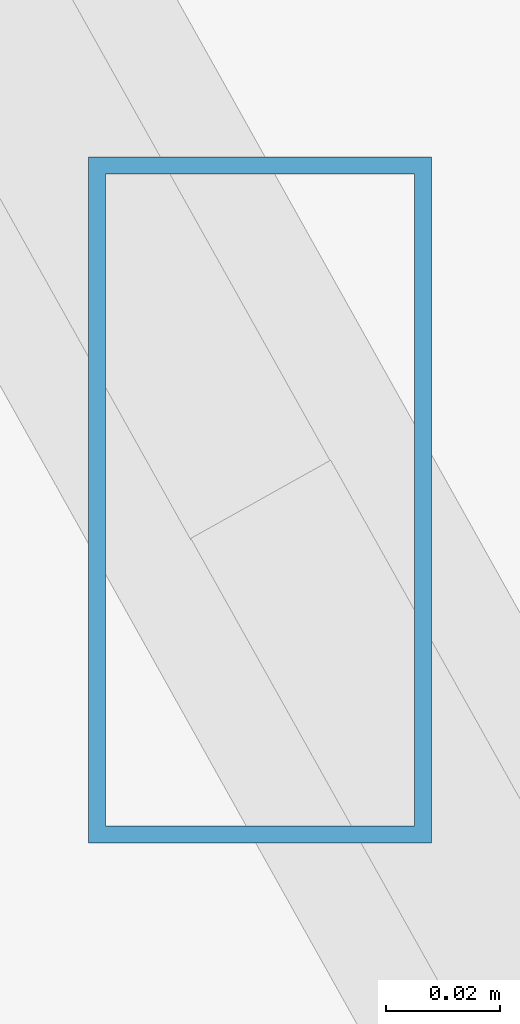
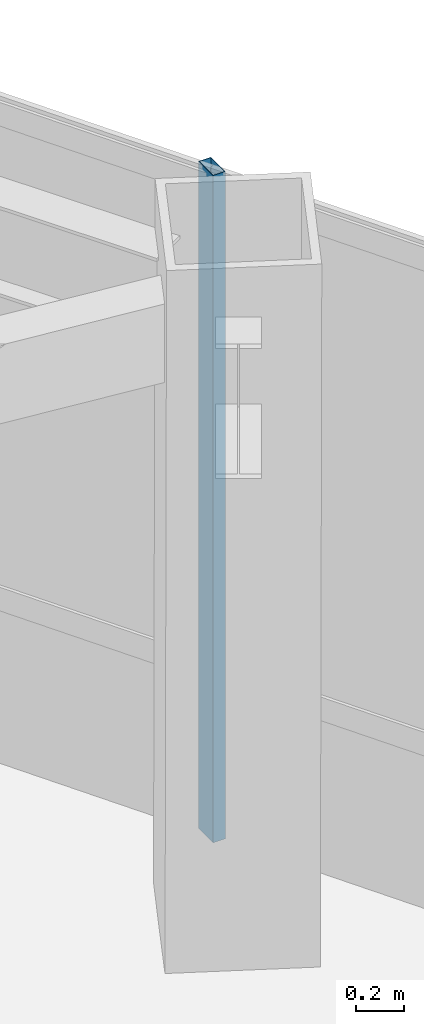
# One storey, part 23 of 44: 1 member, 1 element without a shape of its own.
"""IFC4 building model written with IfcOpenShell, lengths in metres."""

from ifc_helpers import new_model, si_unit, direction, frame, origin, origin_2d, place, context, subcontext, project, spatial, hollow_rectangle, extrude, source, transform, mapped, material, material_profile, profile_set, type_object, type_shapes, element, aggregate, save


model = new_model("IFC4")

# Units and contexts
model_context = context("Model", 3, precision=1e-05, world=origin(), true_north=direction((0.0, 1.0)))
body_context = subcontext(model_context, "Body", "Model", "MODEL_VIEW")
ifc_project = project(units=[si_unit("LENGTHUNIT", "METRE"), si_unit("AREAUNIT", "SQUARE_METRE"), si_unit("VOLUMEUNIT", "CUBIC_METRE"), si_unit("PLANEANGLEUNIT", "RADIAN"), si_unit("MASSUNIT", "GRAM", prefix="KILO")], contexts=[model_context])

# Site, building, storey
site_placement = place(None, origin())
site = spatial("IfcSite", under=ifc_project, at=site_placement, CompositionType="ELEMENT")
building_placement = place(site_placement, origin())
building = spatial("IfcBuilding", under=site, at=building_placement, Name="Caelisora Broadcast Tower", CompositionType="ELEMENT")
storey_placement = place(building_placement, frame((0.0, 0.0, 259.050048828125)))
storey = spatial("IfcBuildingStorey", under=building, at=storey_placement, Name="L68", CompositionType="ELEMENT", Elevation=259.050048828125)

# Curtain wall, member
ifc_material_1 = material(Name="Unitised Aluminium and Low-E Glass Curtain Wall", Category="glass")
curtain_wall_type = type_object("IfcCurtainWallType", Name="CW-Z5", PredefinedType="NOTDEFINED", material=ifc_material_1)
curtain_wall_placement = place(storey_placement, origin())
curtain_wall = element("IfcCurtainWall", 1, at=curtain_wall_placement, inside=storey, type_object=curtain_wall_type, Name="L68 curtain wall CW-Z5", PredefinedType="NOTDEFINED")
ifc_material_2 = material(Name="Aluminium 6063-T6 Anodised Terracotta Bronze", Category="aluminium")
ifc_material_profile = material_profile(ifc_material_2, hollow_rectangle(XDim=0.06005859375, YDim=0.1201171875, WallThickness=0.0029296875, at=origin_2d()), Name="Aluminium 6063-T6 Anodised Terracotta Bronze")
ifc_profile_set = profile_set([ifc_material_profile], Name="Aluminium 6063-T6 Anodised Terracotta Bronze")
member_type = type_object("IfcMemberType", Name="CWM-04", PredefinedType="MULLION", material=ifc_profile_set)
shared_shape = source(origin(), body_context, "Body", "SweptSolid", [
    extrude(hollow_rectangle(XDim=0.06005859375, YDim=0.1201171875, WallThickness=0.0029296875, at=origin_2d()), origin(), (0.0, 0.0, 1.0), 3.39990234375),
])
type_shapes(member_type, [shared_shape])
member_placement = place(storey_placement, frame((59.77685546875, 16.56787109375, 0.0), z_axis=(0.0, 0.0, 1.0), x_axis=(1.0, 0.0, 0.0)))
member = element("IfcMember", 2, at=member_placement, type_object=member_type, Name="L68-CW-B03 mullion #2", PredefinedType="MULLION", context=body_context, shape_type="MappedRepresentation", body=[
    mapped(shared_shape, transform((0.0, 0.0, 0.0), scale=1.0)),
])
aggregate(curtain_wall, [member])

save(model, "model.ifc")
